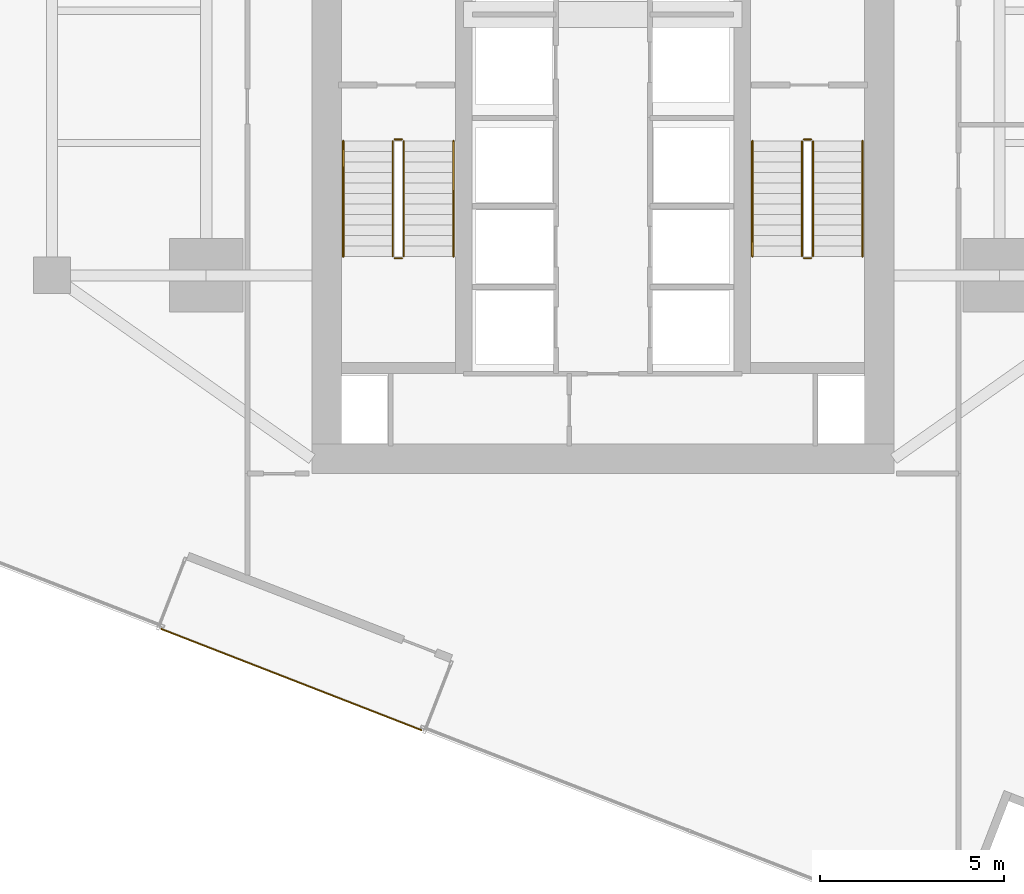
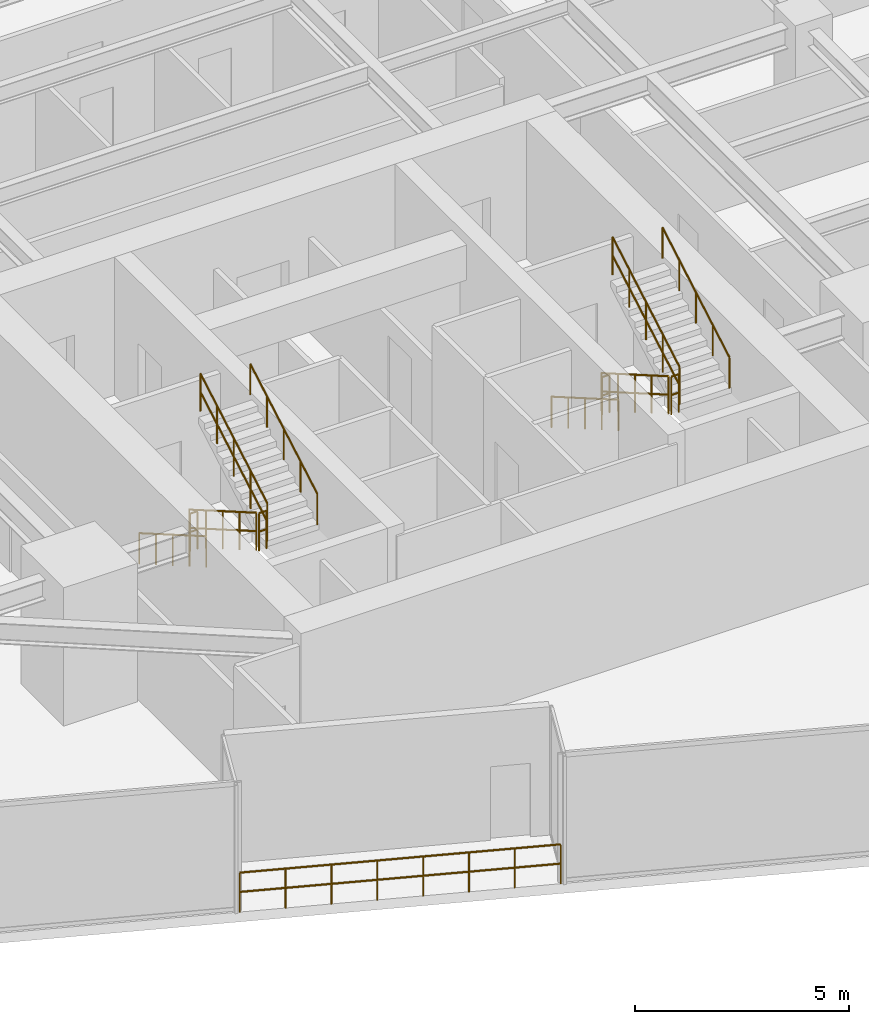
# One storey, part 25 of 26: 13 railings.
"""IFC4 building model written with IfcOpenShell, lengths in metres."""

from ifc_helpers import new_model, si_unit, direction, frame, origin, origin_2d, place, context, subcontext, project, spatial, circle, extrude, material, layer, layer_set, type_object, element, save


model = new_model("IFC4")

# Units and contexts
model_context = context("Model", 3, precision=1e-05, world=origin(), true_north=direction((0.0, 1.0)))
body_context = subcontext(model_context, "Body", "Model", "MODEL_VIEW")
ifc_project = project(units=[si_unit("LENGTHUNIT", "METRE"), si_unit("AREAUNIT", "SQUARE_METRE"), si_unit("VOLUMEUNIT", "CUBIC_METRE"), si_unit("PLANEANGLEUNIT", "RADIAN"), si_unit("MASSUNIT", "GRAM", prefix="KILO")], contexts=[model_context])

# Site, building, storey
site_placement = place(None, origin())
site = spatial("IfcSite", under=ifc_project, at=site_placement, CompositionType="ELEMENT")
building_placement = place(site_placement, origin())
building = spatial("IfcBuilding", under=site, at=building_placement, Name="Krantzveldt Concourse Tower", CompositionType="ELEMENT")
storey_placement = place(building_placement, frame((0.0, 0.0, 133.5)))
storey = spatial("IfcBuildingStorey", under=building, at=storey_placement, Name="L32", CompositionType="ELEMENT", Elevation=133.5)

# Railings
ifc_material = material(Name="Stainless steel 316L", Category="steel")
ifc_layer_1 = layer(ifc_material, 0.080078125, Name="Stainless steel 316L", Category="steel")
ifc_layer_set_1 = layer_set([ifc_layer_1], Name="Stainless steel 316L (RL-BALUSTRADE-1150)")
railing_type_1 = type_object("IfcRailingType", Name="RL-BALUSTRADE-1150", PredefinedType="BALUSTRADE", material=ifc_layer_set_1)
railing_1_placement = place(storey_placement, frame((31.060546875, 3.513671875, 0.0)))
element("IfcRailing", 1, at=railing_1_placement, inside=storey, type_object=railing_type_1, Name="GD-L32-CTER-01", PredefinedType="BALUSTRADE", context=body_context, shape_type="SweptSolid", body=[
    extrude(circle(Radius=0.02392578125, at=origin_2d()), frame((0.0, 0.0, 1.1259765625), z_axis=(-0.932002862961, 0.362450911756, 0.0), x_axis=(-0.362450911756, -0.932002862961, 0.0)), (0.0, 0.0, 1.0), 7.60009765625),
    extrude(circle(Radius=0.02392578125, at=origin_2d()), frame((0.0, 0.0, 0.574951171875), z_axis=(-0.932002862961, 0.362450911756, 0.0), x_axis=(-0.362450911756, -0.932002862961, 0.0)), (0.0, 0.0, 1.0), 7.60009765625),
    extrude(circle(Radius=0.02099609375, at=origin_2d()), origin(), (0.0, 0.0, 1.0), 1.101806640625),
    extrude(circle(Radius=0.02099609375, at=origin_2d()), frame((-1.011962890625, 0.3935546875, 0.0)), (0.0, 0.0, 1.0), 1.101806640625),
    extrude(circle(Radius=0.02099609375, at=origin_2d()), frame((-2.023681640625, 0.787109375, 0.0)), (0.0, 0.0, 1.0), 1.101806640625),
    extrude(circle(Radius=0.02099609375, at=origin_2d()), frame((-3.03564453125, 1.1806640625, 0.0)), (0.0, 0.0, 1.0), 1.101806640625),
    extrude(circle(Radius=0.02099609375, at=origin_2d()), frame((-4.047607421875, 1.573974609375, 0.0)), (0.0, 0.0, 1.0), 1.101806640625),
    extrude(circle(Radius=0.02099609375, at=origin_2d()), frame((-5.0595703125, 1.967529296875, 0.0)), (0.0, 0.0, 1.0), 1.101806640625),
    extrude(circle(Radius=0.02099609375, at=origin_2d()), frame((-6.0712890625, 2.361083984375, 0.0)), (0.0, 0.0, 1.0), 1.101806640625),
    extrude(circle(Radius=0.02099609375, at=origin_2d()), frame((-7.083251953125, 2.754638671875, 0.0)), (0.0, 0.0, 1.0), 1.101806640625),
])
ifc_layer_2 = layer(ifc_material, 0.06005859375, Name="Stainless steel 316L", Category="steel")
ifc_layer_set_2 = layer_set([ifc_layer_2], Name="Stainless steel 316L (RL-GUARD-1120)")
railing_type_2 = type_object("IfcRailingType", Name="RL-GUARD-1120", PredefinedType="GUARDRAIL", material=ifc_layer_set_2)
railing_2_placement = place(storey_placement, frame((30.280029296875, 19.550048828125, 0.16455078125)))
element("IfcRailing", 2, at=railing_2_placement, inside=storey, type_object=railing_type_2, Name="L32 ST-1 stair guard 1", PredefinedType="GUARDRAIL", context=body_context, shape_type="SweptSolid", body=[
    extrude(circle(Radius=0.02392578125, at=origin_2d()), frame((0.0, 0.0, 1.076171875), z_axis=(0.0, -0.865959834175, 0.500113552702), x_axis=(1.0, 0.0, 0.0)), (0.0, 0.0, 1.0), 3.620361328125),
    extrude(circle(Radius=0.02392578125, at=origin_2d()), frame((0.0, 0.0, 0.550048828125), z_axis=(0.0, -0.865959834175, 0.500113552702), x_axis=(1.0, 0.0, 0.0)), (0.0, 0.0, 1.0), 3.620361328125),
    extrude(circle(Radius=0.02099609375, at=origin_2d()), origin(), (0.0, 0.0, 1.0), 1.052001953125),
    extrude(circle(Radius=0.02099609375, at=origin_2d()), frame((0.0, -0.78369140625, 0.45263671875)), (0.0, 0.0, 1.0), 1.052001953125),
    extrude(circle(Radius=0.02099609375, at=origin_2d()), frame((0.0, -1.5673828125, 0.9052734375)), (0.0, 0.0, 1.0), 1.052001953125),
    extrude(circle(Radius=0.02099609375, at=origin_2d()), frame((0.0, -2.351318359375, 1.35791015625)), (0.0, 0.0, 1.0), 1.052001953125),
    extrude(circle(Radius=0.02099609375, at=origin_2d()), frame((0.0, -3.135009765625, 1.810546875)), (0.0, 0.0, 1.0), 1.052001953125),
])
railing_3_placement = place(storey_placement, frame((30.330078125, 16.364990234375, 1.97509765625)))
element("IfcRailing", 3, at=railing_3_placement, inside=storey, type_object=railing_type_2, Name="L32 ST-1 stair guard 2", PredefinedType="GUARDRAIL", context=body_context, shape_type="SweptSolid", body=[
    extrude(circle(Radius=0.02392578125, at=origin_2d()), frame((0.0, 0.0, 1.076171875), z_axis=(1.0, 0.0, 0.0), x_axis=(0.0, 1.0, 0.0)), (0.0, 0.0, 1.0), 0.199951171875),
    extrude(circle(Radius=0.02392578125, at=origin_2d()), frame((0.0, 0.0, 0.550048828125), z_axis=(1.0, 0.0, 0.0), x_axis=(0.0, 1.0, 0.0)), (0.0, 0.0, 1.0), 0.199951171875),
    extrude(circle(Radius=0.02099609375, at=origin_2d()), origin(), (0.0, 0.0, 1.0), 1.052001953125),
    extrude(circle(Radius=0.02099609375, at=origin_2d()), frame((0.199951171875, 0.0, 0.0)), (0.0, 0.0, 1.0), 1.052001953125),
])
railing_4_placement = place(storey_placement, frame((30.580078125, 16.4150390625, 2.1396484375)))
element("IfcRailing", 4, at=railing_4_placement, inside=storey, type_object=railing_type_2, Name="L32 ST-1 stair guard 3", PredefinedType="GUARDRAIL", context=body_context, shape_type="SweptSolid", body=[
    extrude(circle(Radius=0.02392578125, at=origin_2d()), frame((0.0, 0.0, 1.076171875), z_axis=(0.0, 0.865989039225, 0.500062979975), x_axis=(-1.0, 0.0, 0.0)), (0.0, 0.0, 1.0), 3.6201171875),
    extrude(circle(Radius=0.02392578125, at=origin_2d()), frame((0.0, 0.0, 0.550048828125), z_axis=(0.0, 0.865989039225, 0.500062979975), x_axis=(-1.0, 0.0, 0.0)), (0.0, 0.0, 1.0), 3.6201171875),
    extrude(circle(Radius=0.02099609375, at=origin_2d()), origin(), (0.0, 0.0, 1.0), 1.052001953125),
    extrude(circle(Radius=0.02099609375, at=origin_2d()), frame((0.0, 0.78369140625, 0.45263671875)), (0.0, 0.0, 1.0), 1.052001953125),
    extrude(circle(Radius=0.02099609375, at=origin_2d()), frame((0.0, 1.5673828125, 0.9052734375)), (0.0, 0.0, 1.0), 1.052001953125),
    extrude(circle(Radius=0.02099609375, at=origin_2d()), frame((0.0, 2.351318359375, 1.357666015625)), (0.0, 0.0, 1.0), 1.052001953125),
    extrude(circle(Radius=0.02099609375, at=origin_2d()), frame((0.0, 3.135009765625, 1.810302734375)), (0.0, 0.0, 1.0), 1.052001953125),
])
railing_5_placement = place(storey_placement, frame((30.330078125, 19.60009765625, 0.0)))
element("IfcRailing", 5, at=railing_5_placement, inside=storey, type_object=railing_type_2, Name="L32 ST-1 stair guard 4", PredefinedType="GUARDRAIL", context=body_context, shape_type="SweptSolid", body=[
    extrude(circle(Radius=0.02392578125, at=origin_2d()), frame((0.0, 0.0, 1.076171875), z_axis=(1.0, 0.0, 0.0), x_axis=(0.0, 1.0, 0.0)), (0.0, 0.0, 1.0), 0.199951171875),
    extrude(circle(Radius=0.02392578125, at=origin_2d()), frame((0.0, 0.0, 0.550048828125), z_axis=(1.0, 0.0, 0.0), x_axis=(0.0, 1.0, 0.0)), (0.0, 0.0, 1.0), 0.199951171875),
    extrude(circle(Radius=0.02099609375, at=origin_2d()), origin(), (0.0, 0.0, 1.0), 1.052001953125),
    extrude(circle(Radius=0.02099609375, at=origin_2d()), frame((0.199951171875, 0.0, 0.0)), (0.0, 0.0, 1.0), 1.052001953125),
])
railing_6_placement = place(storey_placement, frame((41.419921875, 19.550048828125, 0.16455078125)))
element("IfcRailing", 6, at=railing_6_placement, inside=storey, type_object=railing_type_2, Name="L32 ST-2 stair guard 1", PredefinedType="GUARDRAIL", context=body_context, shape_type="SweptSolid", body=[
    extrude(circle(Radius=0.02392578125, at=origin_2d()), frame((0.0, 0.0, 1.076171875), z_axis=(0.0, -0.865959834175, 0.500113552702), x_axis=(1.0, 0.0, 0.0)), (0.0, 0.0, 1.0), 3.620361328125),
    extrude(circle(Radius=0.02392578125, at=origin_2d()), frame((0.0, 0.0, 0.550048828125), z_axis=(0.0, -0.865959834175, 0.500113552702), x_axis=(1.0, 0.0, 0.0)), (0.0, 0.0, 1.0), 3.620361328125),
    extrude(circle(Radius=0.02099609375, at=origin_2d()), origin(), (0.0, 0.0, 1.0), 1.052001953125),
    extrude(circle(Radius=0.02099609375, at=origin_2d()), frame((0.0, -0.78369140625, 0.45263671875)), (0.0, 0.0, 1.0), 1.052001953125),
    extrude(circle(Radius=0.02099609375, at=origin_2d()), frame((0.0, -1.5673828125, 0.9052734375)), (0.0, 0.0, 1.0), 1.052001953125),
    extrude(circle(Radius=0.02099609375, at=origin_2d()), frame((0.0, -2.351318359375, 1.35791015625)), (0.0, 0.0, 1.0), 1.052001953125),
    extrude(circle(Radius=0.02099609375, at=origin_2d()), frame((0.0, -3.135009765625, 1.810546875)), (0.0, 0.0, 1.0), 1.052001953125),
])
railing_7_placement = place(storey_placement, frame((41.469970703125, 16.364990234375, 1.97509765625)))
element("IfcRailing", 7, at=railing_7_placement, inside=storey, type_object=railing_type_2, Name="L32 ST-2 stair guard 2", PredefinedType="GUARDRAIL", context=body_context, shape_type="SweptSolid", body=[
    extrude(circle(Radius=0.02392578125, at=origin_2d()), frame((0.0, 0.0, 1.076171875), z_axis=(1.0, 0.0, 0.0), x_axis=(0.0, 1.0, 0.0)), (0.0, 0.0, 1.0), 0.199951171875),
    extrude(circle(Radius=0.02392578125, at=origin_2d()), frame((0.0, 0.0, 0.550048828125), z_axis=(1.0, 0.0, 0.0), x_axis=(0.0, 1.0, 0.0)), (0.0, 0.0, 1.0), 0.199951171875),
    extrude(circle(Radius=0.02099609375, at=origin_2d()), origin(), (0.0, 0.0, 1.0), 1.052001953125),
    extrude(circle(Radius=0.02099609375, at=origin_2d()), frame((0.199951171875, 0.0, 0.0)), (0.0, 0.0, 1.0), 1.052001953125),
])
railing_8_placement = place(storey_placement, frame((41.719970703125, 16.4150390625, 2.1396484375)))
element("IfcRailing", 8, at=railing_8_placement, inside=storey, type_object=railing_type_2, Name="L32 ST-2 stair guard 3", PredefinedType="GUARDRAIL", context=body_context, shape_type="SweptSolid", body=[
    extrude(circle(Radius=0.02392578125, at=origin_2d()), frame((0.0, 0.0, 1.076171875), z_axis=(0.0, 0.865989039225, 0.500062979975), x_axis=(-1.0, 0.0, 0.0)), (0.0, 0.0, 1.0), 3.6201171875),
    extrude(circle(Radius=0.02392578125, at=origin_2d()), frame((0.0, 0.0, 0.550048828125), z_axis=(0.0, 0.865989039225, 0.500062979975), x_axis=(-1.0, 0.0, 0.0)), (0.0, 0.0, 1.0), 3.6201171875),
    extrude(circle(Radius=0.02099609375, at=origin_2d()), origin(), (0.0, 0.0, 1.0), 1.052001953125),
    extrude(circle(Radius=0.02099609375, at=origin_2d()), frame((0.0, 0.78369140625, 0.45263671875)), (0.0, 0.0, 1.0), 1.052001953125),
    extrude(circle(Radius=0.02099609375, at=origin_2d()), frame((0.0, 1.5673828125, 0.9052734375)), (0.0, 0.0, 1.0), 1.052001953125),
    extrude(circle(Radius=0.02099609375, at=origin_2d()), frame((0.0, 2.351318359375, 1.357666015625)), (0.0, 0.0, 1.0), 1.052001953125),
    extrude(circle(Radius=0.02099609375, at=origin_2d()), frame((0.0, 3.135009765625, 1.810302734375)), (0.0, 0.0, 1.0), 1.052001953125),
])
railing_9_placement = place(storey_placement, frame((41.469970703125, 19.60009765625, 0.0)))
element("IfcRailing", 9, at=railing_9_placement, inside=storey, type_object=railing_type_2, Name="L32 ST-2 stair guard 4", PredefinedType="GUARDRAIL", context=body_context, shape_type="SweptSolid", body=[
    extrude(circle(Radius=0.02392578125, at=origin_2d()), frame((0.0, 0.0, 1.076171875), z_axis=(1.0, 0.0, 0.0), x_axis=(0.0, 1.0, 0.0)), (0.0, 0.0, 1.0), 0.199951171875),
    extrude(circle(Radius=0.02392578125, at=origin_2d()), frame((0.0, 0.0, 0.550048828125), z_axis=(1.0, 0.0, 0.0), x_axis=(0.0, 1.0, 0.0)), (0.0, 0.0, 1.0), 0.199951171875),
    extrude(circle(Radius=0.02099609375, at=origin_2d()), origin(), (0.0, 0.0, 1.0), 1.052001953125),
    extrude(circle(Radius=0.02099609375, at=origin_2d()), frame((0.199951171875, 0.0, 0.0)), (0.0, 0.0, 1.0), 1.052001953125),
])
ifc_layer_3 = layer(ifc_material, 0.050048828125, Name="Stainless steel 316L", Category="steel")
ifc_layer_set_3 = layer_set([ifc_layer_3], Name="Stainless steel 316L (RL-HANDRAIL-920)")
railing_type_3 = type_object("IfcRailingType", Name="RL-HANDRAIL-920", PredefinedType="HANDRAIL", material=ifc_layer_set_3)
railing_10_placement = place(storey_placement, frame((28.929931640625, 19.550048828125, 0.16455078125)))
element("IfcRailing", 10, at=railing_10_placement, inside=storey, type_object=railing_type_3, Name="L32 ST-1 stair handrail 1", PredefinedType="HANDRAIL", context=body_context, shape_type="SweptSolid", body=[
    extrude(circle(Radius=0.02392578125, at=origin_2d()), frame((0.0, 0.0, 0.8759765625), z_axis=(0.0, -0.865959834175, 0.500113552702), x_axis=(1.0, 0.0, 0.0)), (0.0, 0.0, 1.0), 3.620361328125),
    extrude(circle(Radius=0.02099609375, at=origin_2d()), origin(), (0.0, 0.0, 1.0), 0.851806640625),
    extrude(circle(Radius=0.02099609375, at=origin_2d()), frame((0.0, -0.78369140625, 0.45263671875)), (0.0, 0.0, 1.0), 0.851806640625),
    extrude(circle(Radius=0.02099609375, at=origin_2d()), frame((0.0, -1.5673828125, 0.9052734375)), (0.0, 0.0, 1.0), 0.851806640625),
    extrude(circle(Radius=0.02099609375, at=origin_2d()), frame((0.0, -2.351318359375, 1.35791015625)), (0.0, 0.0, 1.0), 0.851806640625),
    extrude(circle(Radius=0.02099609375, at=origin_2d()), frame((0.0, -3.135009765625, 1.810546875)), (0.0, 0.0, 1.0), 0.851806640625),
])
railing_11_placement = place(storey_placement, frame((31.929931640625, 16.4150390625, 2.1396484375)))
element("IfcRailing", 11, at=railing_11_placement, inside=storey, type_object=railing_type_3, Name="L32 ST-1 stair handrail 2", PredefinedType="HANDRAIL", context=body_context, shape_type="SweptSolid", body=[
    extrude(circle(Radius=0.02392578125, at=origin_2d()), frame((0.0, 0.0, 0.8759765625), z_axis=(0.0, 0.865989039225, 0.500062979975), x_axis=(-1.0, 0.0, 0.0)), (0.0, 0.0, 1.0), 3.6201171875),
    extrude(circle(Radius=0.02099609375, at=origin_2d()), origin(), (0.0, 0.0, 1.0), 0.851806640625),
    extrude(circle(Radius=0.02099609375, at=origin_2d()), frame((0.0, 0.78369140625, 0.45263671875)), (0.0, 0.0, 1.0), 0.851806640625),
    extrude(circle(Radius=0.02099609375, at=origin_2d()), frame((0.0, 1.5673828125, 0.9052734375)), (0.0, 0.0, 1.0), 0.851806640625),
    extrude(circle(Radius=0.02099609375, at=origin_2d()), frame((0.0, 2.351318359375, 1.357666015625)), (0.0, 0.0, 1.0), 0.851806640625),
    extrude(circle(Radius=0.02099609375, at=origin_2d()), frame((0.0, 3.135009765625, 1.810302734375)), (0.0, 0.0, 1.0), 0.851806640625),
])
railing_12_placement = place(storey_placement, frame((40.070068359375, 19.550048828125, 0.16455078125)))
element("IfcRailing", 12, at=railing_12_placement, inside=storey, type_object=railing_type_3, Name="L32 ST-2 stair handrail 1", PredefinedType="HANDRAIL", context=body_context, shape_type="SweptSolid", body=[
    extrude(circle(Radius=0.02392578125, at=origin_2d()), frame((0.0, 0.0, 0.8759765625), z_axis=(0.0, -0.865959834175, 0.500113552702), x_axis=(1.0, 0.0, 0.0)), (0.0, 0.0, 1.0), 3.620361328125),
    extrude(circle(Radius=0.02099609375, at=origin_2d()), origin(), (0.0, 0.0, 1.0), 0.851806640625),
    extrude(circle(Radius=0.02099609375, at=origin_2d()), frame((0.0, -0.78369140625, 0.45263671875)), (0.0, 0.0, 1.0), 0.851806640625),
    extrude(circle(Radius=0.02099609375, at=origin_2d()), frame((0.0, -1.5673828125, 0.9052734375)), (0.0, 0.0, 1.0), 0.851806640625),
    extrude(circle(Radius=0.02099609375, at=origin_2d()), frame((0.0, -2.351318359375, 1.35791015625)), (0.0, 0.0, 1.0), 0.851806640625),
    extrude(circle(Radius=0.02099609375, at=origin_2d()), frame((0.0, -3.135009765625, 1.810546875)), (0.0, 0.0, 1.0), 0.851806640625),
])
railing_13_placement = place(storey_placement, frame((43.070068359375, 16.4150390625, 2.1396484375)))
element("IfcRailing", 13, at=railing_13_placement, inside=storey, type_object=railing_type_3, Name="L32 ST-2 stair handrail 2", PredefinedType="HANDRAIL", context=body_context, shape_type="SweptSolid", body=[
    extrude(circle(Radius=0.02392578125, at=origin_2d()), frame((0.0, 0.0, 0.8759765625), z_axis=(0.0, 0.865989039225, 0.500062979975), x_axis=(-1.0, 0.0, 0.0)), (0.0, 0.0, 1.0), 3.6201171875),
    extrude(circle(Radius=0.02099609375, at=origin_2d()), origin(), (0.0, 0.0, 1.0), 0.851806640625),
    extrude(circle(Radius=0.02099609375, at=origin_2d()), frame((0.0, 0.78369140625, 0.45263671875)), (0.0, 0.0, 1.0), 0.851806640625),
    extrude(circle(Radius=0.02099609375, at=origin_2d()), frame((0.0, 1.5673828125, 0.9052734375)), (0.0, 0.0, 1.0), 0.851806640625),
    extrude(circle(Radius=0.02099609375, at=origin_2d()), frame((0.0, 2.351318359375, 1.357666015625)), (0.0, 0.0, 1.0), 0.851806640625),
    extrude(circle(Radius=0.02099609375, at=origin_2d()), frame((0.0, 3.135009765625, 1.810302734375)), (0.0, 0.0, 1.0), 0.851806640625),
])

save(model, "model.ifc")
